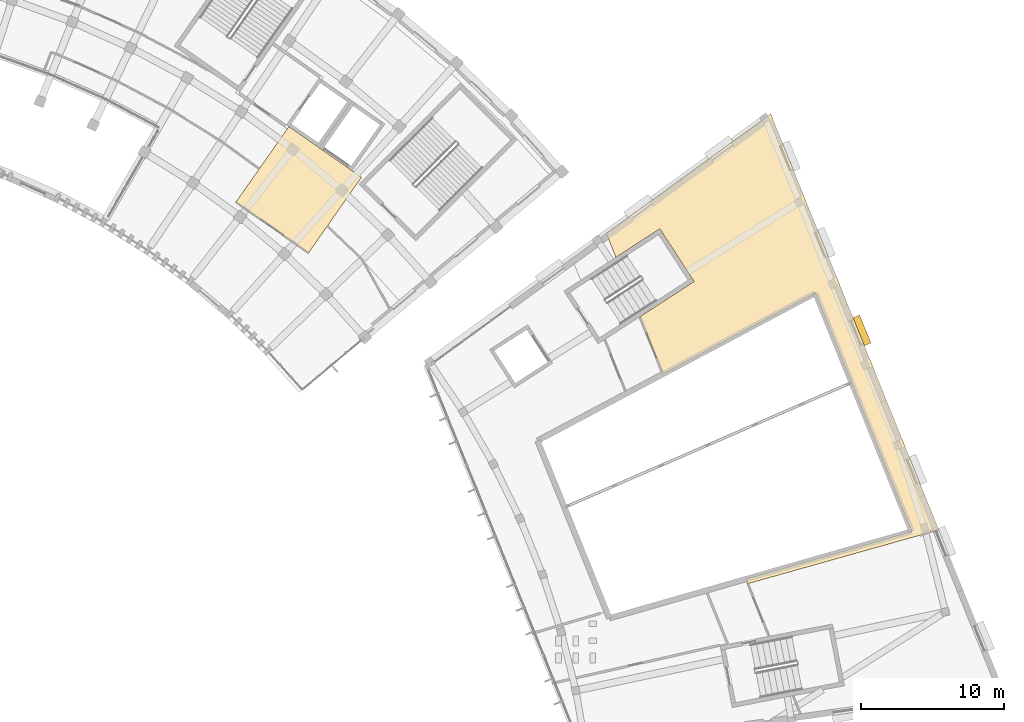
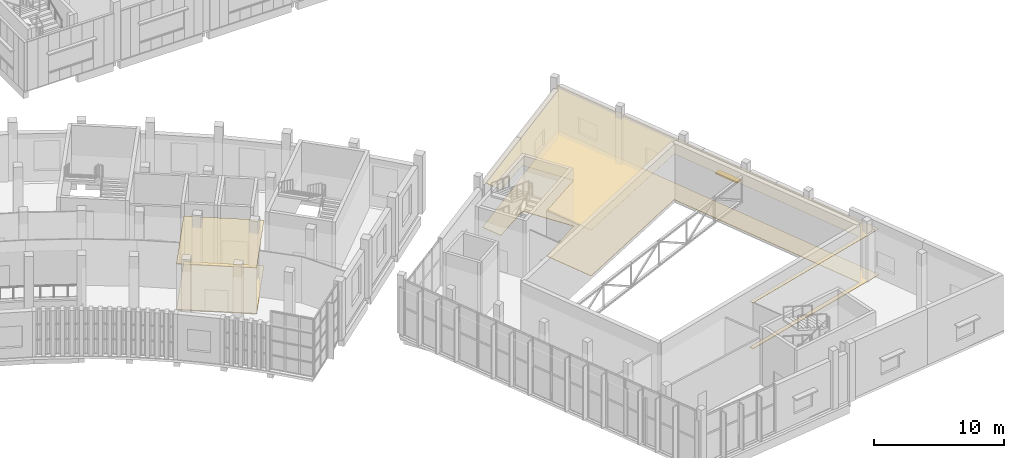
# One storey, part 103 of 112: 4 coverings, 1 shading device.
"""IFC4 building model written with IfcOpenShell, lengths in metres."""

from ifc_helpers import new_model, si_unit, direction, frame, origin, origin_2d, place, context, subcontext, project, spatial, polyline, rectangle, outline, extrude, material, layer, layer_set, type_object, element, save


model = new_model("IFC4")

# Units and contexts
model_context = context("Model", 3, precision=1e-05, world=origin(), true_north=direction((0.0, 1.0)))
body_context = subcontext(model_context, "Body", "Model", "MODEL_VIEW")
ifc_project = project(units=[si_unit("LENGTHUNIT", "METRE"), si_unit("AREAUNIT", "SQUARE_METRE"), si_unit("VOLUMEUNIT", "CUBIC_METRE"), si_unit("PLANEANGLEUNIT", "RADIAN"), si_unit("MASSUNIT", "GRAM", prefix="KILO")], contexts=[model_context])

# Site, building, storey
site_placement = place(None, origin())
site = spatial("IfcSite", under=ifc_project, at=site_placement, CompositionType="ELEMENT")
building_placement = place(site_placement, origin())
building = spatial("IfcBuilding", under=site, at=building_placement, Name="Lunette Opera House", CompositionType="ELEMENT")
storey_placement = place(building_placement, frame((0.0, 0.0, 6.0)))
storey = spatial("IfcBuildingStorey", under=building, at=storey_placement, Name="L01", CompositionType="ELEMENT", Elevation=6.0)

# Coverings
ifc_material_1 = material(Name="Mineral fibre board")
ifc_layer_1 = layer(ifc_material_1, 0.014892578125)
ifc_layer_set_1 = layer_set([ifc_layer_1], Name="Mineral fibre board")
covering_type_1 = type_object("IfcCoveringType", Name="SUSPENDED ACOUSTIC CEILING 15", PredefinedType="CEILING", material=ifc_layer_set_1)
covering_1_placement = place(storey_placement, frame((0.0, 0.0, 4.31494140625)))
element("IfcCovering", 1, at=covering_1_placement, inside=storey, type_object=covering_type_1, Name="Ceiling Open Lift Lobby L01 East", PredefinedType="CEILING", context=body_context, shape_type="SweptSolid", body=[
    extrude(outline(polyline([(131.4140625, 46.739990234375), (136.491943359375, 43.18408203125), (140.19189453125, 48.468017578125), (135.113037109375, 52.02392578125), (131.4140625, 46.739990234375)])), origin(), (0.0, 0.0, 1.0), 0.01513671875),
])
covering_2_placement = place(storey_placement, frame((0.0, 0.0, 4.31494140625)))
element("IfcCovering", 2, at=covering_2_placement, inside=storey, type_object=covering_type_1, Name="Ceiling Studio Gallery Seating", PredefinedType="CEILING", context=body_context, shape_type="SweptSolid", body=[
    extrude(outline(polyline([(167.076904296875, 20.381103515625), (178.6689453125, 23.705078125), (171.93310546875, 40.375), (161.287109375, 34.714111328125), (159.6669921875, 38.721923828125), (163.452880859375, 41.180908203125), (161.056884765625, 44.8720703125), (157.988037109375, 42.87890625), (157.31396484375, 44.547119140625), (168.81201171875, 52.90087890625), (180.56494140625, 23.81201171875), (167.2099609375, 20.051025390625), (167.076904296875, 20.381103515625)])), origin(), (0.0, 0.0, 1.0), 0.01513671875),
])
ifc_material_2 = material(Name="Terrazzo")
ifc_layer_2 = layer(ifc_material_2, 0.06005859375)
ifc_layer_set_2 = layer_set([ifc_layer_2], Name="Terrazzo")
covering_type_2 = type_object("IfcCoveringType", Name="TERRAZZO FLOOR FINISH 60", PredefinedType="FLOORING", material=ifc_layer_set_2)
covering_3_placement = place(storey_placement, origin())
element("IfcCovering", 3, at=covering_3_placement, inside=storey, type_object=covering_type_2, Name="Floor finish Open Lift Lobby L01 East", PredefinedType="FLOORING", context=body_context, shape_type="SweptSolid", body=[
    extrude(outline(polyline([(131.4140625, 46.739990234375), (136.491943359375, 43.18408203125), (140.19189453125, 48.468017578125), (135.113037109375, 52.02392578125), (131.4140625, 46.739990234375)])), origin(), (0.0, 0.0, 1.0), 0.06005859375),
])
ifc_material_3 = material(Name="Timber", Category="wood")
ifc_layer_3 = layer(ifc_material_3, 0.0400390625)
ifc_layer_set_3 = layer_set([ifc_layer_3], Name="Timber")
covering_type_3 = type_object("IfcCoveringType", Name="TIMBER FLOOR FINISH 40", PredefinedType="FLOORING", material=ifc_layer_set_3)
covering_4_placement = place(storey_placement, origin())
element("IfcCovering", 4, at=covering_4_placement, inside=storey, type_object=covering_type_3, Name="Floor finish Studio Gallery Seating", PredefinedType="FLOORING", context=body_context, shape_type="SweptSolid", body=[
    extrude(outline(polyline([(167.076904296875, 20.381103515625), (178.6689453125, 23.705078125), (171.93310546875, 40.375), (161.287109375, 34.714111328125), (159.6669921875, 38.721923828125), (163.452880859375, 41.180908203125), (161.056884765625, 44.8720703125), (157.988037109375, 42.87890625), (157.31396484375, 44.547119140625), (168.81201171875, 52.90087890625), (180.56494140625, 23.81201171875), (167.2099609375, 20.051025390625), (167.076904296875, 20.381103515625)])), origin(), (0.0, 0.0, 1.0), 0.0400390625),
])

# Shading device
ifc_material_4 = material(Name="Powder-coated aluminium", Category="aluminium")
ifc_layer_4 = layer(ifc_material_4, 0.1201171875)
ifc_layer_set_4 = layer_set([ifc_layer_4], Name="Powder-coated aluminium")
shading_device_type = type_object("IfcShadingDeviceType", Name="WINDOW HOOD 500 X 2100", PredefinedType="USERDEFINED", material=ifc_layer_set_4)
shading_device_placement = place(storey_placement, frame((175.197021484375, 37.76611328125, 2.579833984375), z_axis=(0.0, 0.0, 1.0), x_axis=(0.927162931142, 0.374658376547, 0.0)))
element("IfcShadingDevice", 5, at=shading_device_placement, inside=storey, type_object=shading_device_type, Name="Window hood SB-N2010", ObjectType="WINDOW HOOD", PredefinedType="USERDEFINED", context=body_context, shape_type="SweptSolid", body=[
    extrude(rectangle(XDim=0.5, YDim=2.10009765625, at=origin_2d()), origin(), (0.0, 0.0, 1.0), 0.1201171875),
])

save(model, "model.ifc")
